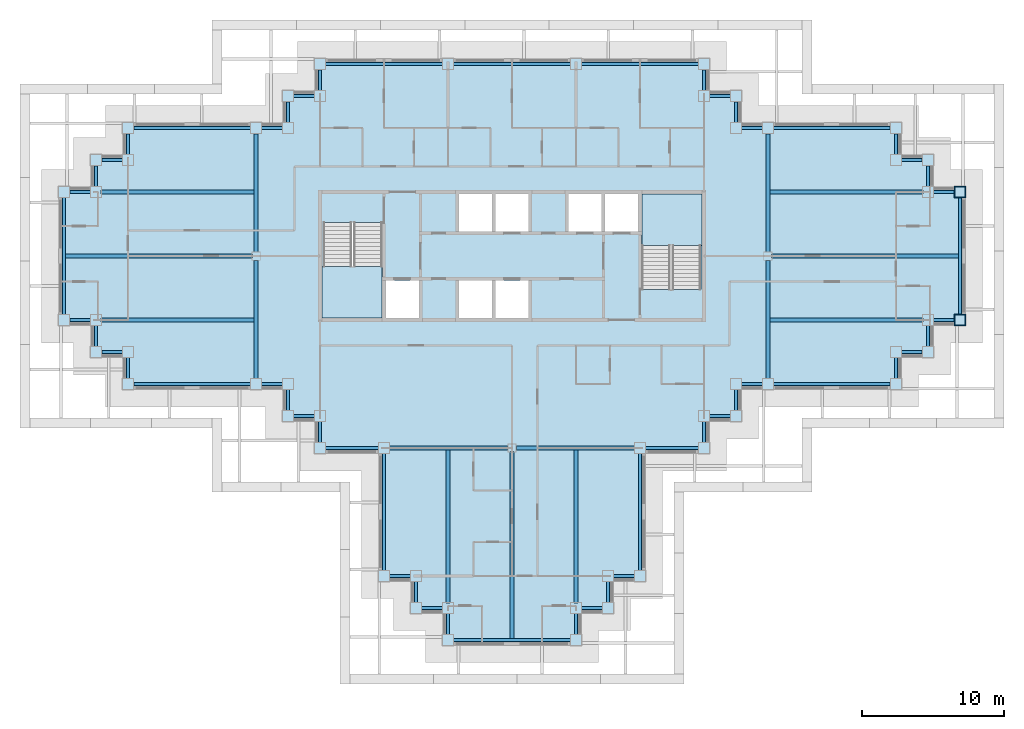
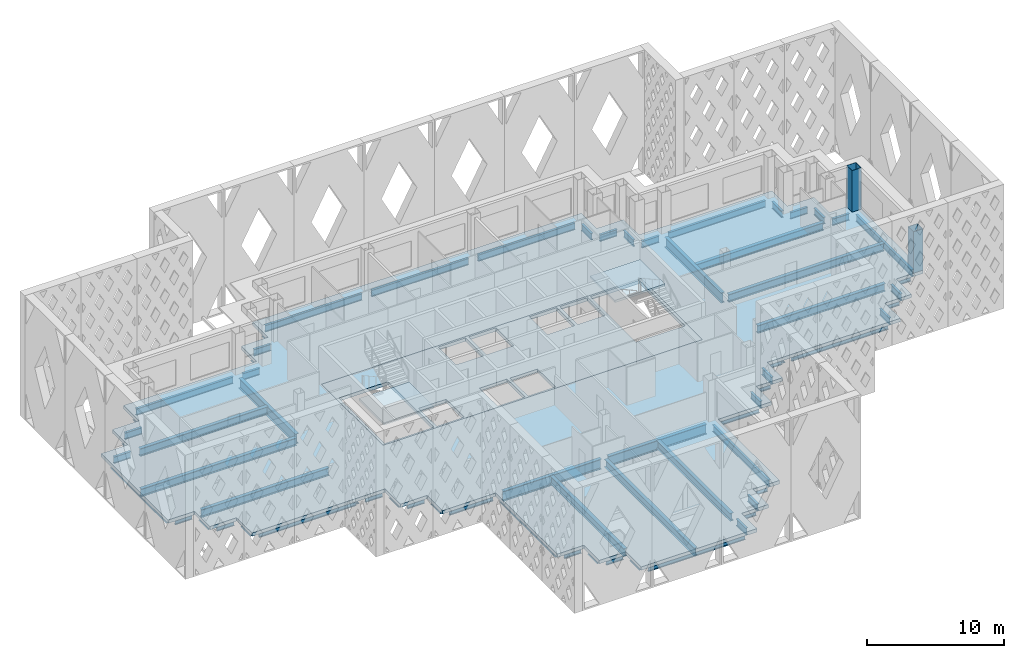
# One storey, part 2 of 18: 69 beams, 4 slabs, 2 columns, 2 elements without a shape of their own.
"""IFC4 building model written with IfcOpenShell, lengths in metres."""

from ifc_helpers import new_model, si_unit, direction, frame, origin, origin_2d, place, context, subcontext, project, spatial, polyline, hollow_rectangle, i_section, outline, extrude, material, layer, layer_set, material_profile, profile_set, type_object, element, aggregate, save


model = new_model("IFC4")

# Units and contexts
model_context = context("Model", 3, precision=1e-05, world=origin(), true_north=direction((0.0, 1.0)))
body_context = subcontext(model_context, "Body", "Model", "MODEL_VIEW")
ifc_project = project(units=[si_unit("LENGTHUNIT", "METRE"), si_unit("AREAUNIT", "SQUARE_METRE"), si_unit("VOLUMEUNIT", "CUBIC_METRE"), si_unit("PLANEANGLEUNIT", "RADIAN"), si_unit("MASSUNIT", "GRAM", prefix="KILO")], contexts=[model_context])

# Site, building, storey
site_placement = place(None, origin())
site = spatial("IfcSite", under=ifc_project, at=site_placement, CompositionType="ELEMENT")
building_placement = place(site_placement, origin())
building = spatial("IfcBuilding", under=site, at=building_placement, Name="Caravel Reach Hotel and Residences", CompositionType="ELEMENT")
storey_placement = place(building_placement, frame((0.0, 0.0, 165.39990234375)))
storey = spatial("IfcBuildingStorey", under=building, at=storey_placement, Name="L41", CompositionType="ELEMENT", Elevation=165.39990234375)

# Columns
ifc_material_1 = material(Name="Concrete-filled steel tube Q390B with Concrete C60 infill", Category="concrete")
ifc_material_profile_1 = material_profile(ifc_material_1, hollow_rectangle(XDim=0.800048828125, YDim=0.800048828125, WallThickness=0.02490234375, at=origin_2d()), Name="RHS 800x800x25")
ifc_profile_set_1 = profile_set([ifc_material_profile_1], Name="Concrete-filled steel tube Q390B with Concrete C60 infill")
column_type = type_object("IfcColumnType", Name="CFT 800x800 Q390B C60", PredefinedType="COLUMN", material=ifc_profile_set_1)
for number, where, z_axis, x_axis, name in (
    (1, (63.0, 22.5, 0.0), (0.0, 0.0, 1.0), (1.0, 0.0, 0.0), "C5 column"),
    (2, (63.0, 31.5, 0.0), (0.0, 0.0, 1.0), (1.0, 0.0, 0.0), "C5 column"),
):
    element("IfcColumn", number, at=place(storey_placement, frame(where, z_axis=z_axis, x_axis=x_axis)), inside=storey, type_object=column_type, Name=name, PredefinedType="COLUMN", context=body_context, shape_type="SweptSolid", body=[
        extrude(hollow_rectangle(XDim=0.800048828125, YDim=0.800048828125, WallThickness=0.02490234375, at=origin_2d()), origin(), (0.0, 0.0, 1.0), 3.7001953125),
    ])

# Beams
ifc_material_2 = material(Name="Structural steel Q355B", Category="steel")
ifc_material_profile_2 = material_profile(ifc_material_2, i_section(OverallWidth=0.300048828125, OverallDepth=0.699951171875, WebThickness=0.012939453125, FlangeThickness=0.02392578125, FilletRadius=0.01806640625, at=origin_2d()), Name="HN 700x300x13x24")
ifc_profile_set_2 = profile_set([ifc_material_profile_2], Name="Structural steel Q355B")
beam_type_1 = type_object("IfcBeamType", Name="Beam HN 700x300x13x24", PredefinedType="BEAM", material=ifc_profile_set_2)
beam_1_placement = place(storey_placement, frame((27.0, 13.39990234375, -0.64990234375), z_axis=(0.0, -1.0, 0.0), x_axis=(1.0, 0.0, 0.0)))
element("IfcBeam", 3, at=beam_1_placement, inside=storey, type_object=beam_type_1, Name="B2 HN 700x300x13x24", PredefinedType="BEAM", context=body_context, shape_type="SweptSolid", body=[
    extrude(i_section(OverallWidth=0.300048828125, OverallDepth=0.699951171875, WebThickness=0.012939453125, FlangeThickness=0.02392578125, FilletRadius=0.01806640625, at=origin_2d()), origin(), (0.0, 0.0, 1.0), 10.7998046875),
])
beam_2_placement = place(storey_placement, frame((31.5, 13.25, -0.64990234375), z_axis=(0.0, -1.0, 0.0), x_axis=(1.0, 0.0, 0.0)))
element("IfcBeam", 4, at=beam_2_placement, inside=storey, type_object=beam_type_1, Name="B2 HN 700x300x13x24", PredefinedType="BEAM", context=body_context, shape_type="SweptSolid", body=[
    extrude(i_section(OverallWidth=0.300048828125, OverallDepth=0.699951171875, WebThickness=0.012939453125, FlangeThickness=0.02392578125, FilletRadius=0.01806640625, at=origin_2d()), origin(), (0.0, 0.0, 1.0), 13.14990234375),
])
for number, where, z_axis, x_axis, name in (
    (5, (36.0, 13.39990234375, -0.64990234375), (0.0, -1.0, 0.0), (1.0, 0.0, 0.0), "B2 HN 700x300x13x24"),
    (6, (49.60009765625, 22.5, -0.64990234375), (1.0, 0.0, 0.0), (0.0, 1.0, 0.0), "B2 HN 700x300x13x24"),
):
    element("IfcBeam", number, at=place(storey_placement, frame(where, z_axis=z_axis, x_axis=x_axis)), inside=storey, type_object=beam_type_1, Name=name, PredefinedType="BEAM", context=body_context, shape_type="SweptSolid", body=[
        extrude(i_section(OverallWidth=0.300048828125, OverallDepth=0.699951171875, WebThickness=0.012939453125, FlangeThickness=0.02392578125, FilletRadius=0.01806640625, at=origin_2d()), origin(), (0.0, 0.0, 1.0), 10.7998046875),
    ])
beam_3_placement = place(storey_placement, frame((49.75, 27.0, -0.64990234375), z_axis=(1.0, 0.0, 0.0), x_axis=(0.0, 1.0, 0.0)))
element("IfcBeam", 7, at=beam_3_placement, inside=storey, type_object=beam_type_1, Name="B2 HN 700x300x13x24", PredefinedType="BEAM", context=body_context, shape_type="SweptSolid", body=[
    extrude(i_section(OverallWidth=0.300048828125, OverallDepth=0.699951171875, WebThickness=0.012939453125, FlangeThickness=0.02392578125, FilletRadius=0.01806640625, at=origin_2d()), origin(), (0.0, 0.0, 1.0), 13.14990234375),
])
for number, where, z_axis, x_axis, name in (
    (8, (49.60009765625, 31.5, -0.64990234375), (1.0, 0.0, 0.0), (0.0, 1.0, 0.0), "B2 HN 700x300x13x24"),
    (9, (13.39990234375, 22.5, -0.64990234375), (-1.0, 0.0, 0.0), (0.0, -1.0, 0.0), "B2 HN 700x300x13x24"),
):
    element("IfcBeam", number, at=place(storey_placement, frame(where, z_axis=z_axis, x_axis=x_axis)), inside=storey, type_object=beam_type_1, Name=name, PredefinedType="BEAM", context=body_context, shape_type="SweptSolid", body=[
        extrude(i_section(OverallWidth=0.300048828125, OverallDepth=0.699951171875, WebThickness=0.012939453125, FlangeThickness=0.02392578125, FilletRadius=0.01806640625, at=origin_2d()), origin(), (0.0, 0.0, 1.0), 10.7998046875),
    ])
beam_4_placement = place(storey_placement, frame((13.25, 27.0, -0.64990234375), z_axis=(-1.0, 0.0, 0.0), x_axis=(0.0, -1.0, 0.0)))
element("IfcBeam", 10, at=beam_4_placement, inside=storey, type_object=beam_type_1, Name="B2 HN 700x300x13x24", PredefinedType="BEAM", context=body_context, shape_type="SweptSolid", body=[
    extrude(i_section(OverallWidth=0.300048828125, OverallDepth=0.699951171875, WebThickness=0.012939453125, FlangeThickness=0.02392578125, FilletRadius=0.01806640625, at=origin_2d()), origin(), (0.0, 0.0, 1.0), 13.14990234375),
])
beam_5_placement = place(storey_placement, frame((13.39990234375, 31.5, -0.64990234375), z_axis=(-1.0, 0.0, 0.0), x_axis=(0.0, -1.0, 0.0)))
element("IfcBeam", 11, at=beam_5_placement, inside=storey, type_object=beam_type_1, Name="B2 HN 700x300x13x24", PredefinedType="BEAM", context=body_context, shape_type="SweptSolid", body=[
    extrude(i_section(OverallWidth=0.300048828125, OverallDepth=0.699951171875, WebThickness=0.012939453125, FlangeThickness=0.02392578125, FilletRadius=0.01806640625, at=origin_2d()), origin(), (0.0, 0.0, 1.0), 10.7998046875),
])
ifc_material_3 = material(Name="Structural steel Q355B", Category="steel")
ifc_material_profile_3 = material_profile(ifc_material_3, i_section(OverallWidth=0.300048828125, OverallDepth=0.89990234375, WebThickness=0.01611328125, FlangeThickness=0.028076171875, FilletRadius=0.01806640625, at=origin_2d()), Name="HN 900x300x16x28")
ifc_profile_set_3 = profile_set([ifc_material_profile_3], Name="Structural steel Q355B")
beam_type_2 = type_object("IfcBeamType", Name="Beam HN 900x300x16x28", PredefinedType="BEAM", material=ifc_profile_set_3)
for number, where, z_axis, x_axis, name in (
    (12, (22.89990234375, 13.5, -0.75), (1.0, 0.0, 0.0), (0.0, 1.0, 0.0), "B3 HN 900x300x16x28"),
    (13, (31.800048828125, 13.5, -0.75), (1.0, 0.0, 0.0), (0.0, 1.0, 0.0), "B3 HN 900x300x16x28"),
    (14, (13.5, 18.39990234375, -0.75), (0.0, 1.0, 0.0), (-1.0, 0.0, 0.0), "B3 HN 900x300x16x28"),
    (15, (13.5, 27.300048828125, -0.75), (0.0, 1.0, 0.0), (-1.0, 0.0, 0.0), "B3 HN 900x300x16x28"),
    (16, (49.5, 18.39990234375, -0.75), (0.0, 1.0, 0.0), (-1.0, 0.0, 0.0), "B3 HN 900x300x16x28"),
    (17, (49.5, 27.300048828125, -0.75), (0.0, 1.0, 0.0), (-1.0, 0.0, 0.0), "B3 HN 900x300x16x28"),
):
    element("IfcBeam", number, at=place(storey_placement, frame(where, z_axis=z_axis, x_axis=x_axis)), inside=storey, type_object=beam_type_2, Name=name, PredefinedType="BEAM", context=body_context, shape_type="SweptSolid", body=[
        extrude(i_section(OverallWidth=0.300048828125, OverallDepth=0.89990234375, WebThickness=0.01611328125, FlangeThickness=0.028076171875, FilletRadius=0.01806640625, at=origin_2d()), origin(), (0.0, 0.0, 1.0), 8.300048828125),
    ])
ifc_material_4 = material(Name="Structural steel Q355B", Category="steel")
ifc_material_profile_4 = material_profile(ifc_material_4, i_section(OverallWidth=0.199951171875, OverallDepth=0.60009765625, WebThickness=0.010986328125, FlangeThickness=0.01708984375, FilletRadius=0.012939453125, at=origin_2d()), Name="HN 600x200x11x17")
ifc_profile_set_4 = profile_set([ifc_material_profile_4], Name="Structural steel Q355B")
beam_type_3 = type_object("IfcBeamType", Name="Spandrel beam HN 600x200x11x17", PredefinedType="SPANDREL", material=ifc_profile_set_4)
for number, where, z_axis, x_axis, name in (
    (18, (22.89990234375, 4.5, -0.599853515625), (1.0, 0.0, 0.0), (0.0, 1.0, 0.0), "SP1 HN 600x200x11x17"),
    (19, (24.75, 4.10009765625, -0.599853515625), (0.0, -1.0, 0.0), (1.0, 0.0, 0.0), "SP1 HN 600x200x11x17"),
    (20, (25.14990234375, 2.25, -0.599853515625), (1.0, 0.0, 0.0), (0.0, 1.0, 0.0), "SP1 HN 600x200x11x17"),
    (21, (27.0, 1.85009765625, -0.599853515625), (0.0, -1.0, 0.0), (1.0, 0.0, 0.0), "SP1 HN 600x200x11x17"),
):
    element("IfcBeam", number, at=place(storey_placement, frame(where, z_axis=z_axis, x_axis=x_axis)), inside=storey, type_object=beam_type_3, Name=name, PredefinedType="SPANDREL", context=body_context, shape_type="SweptSolid", body=[
        extrude(i_section(OverallWidth=0.199951171875, OverallDepth=0.60009765625, WebThickness=0.010986328125, FlangeThickness=0.01708984375, FilletRadius=0.012939453125, at=origin_2d()), origin(), (0.0, 0.0, 1.0), 1.4501953125),
    ])
beam_6_placement = place(storey_placement, frame((27.39990234375, 0.0, -0.599853515625), z_axis=(1.0, 0.0, 0.0), x_axis=(0.0, 1.0, 0.0)))
element("IfcBeam", 22, at=beam_6_placement, inside=storey, type_object=beam_type_3, Name="SP1 HN 600x200x11x17", PredefinedType="SPANDREL", context=body_context, shape_type="SweptSolid", body=[
    extrude(i_section(OverallWidth=0.199951171875, OverallDepth=0.60009765625, WebThickness=0.010986328125, FlangeThickness=0.01708984375, FilletRadius=0.012939453125, at=origin_2d()), origin(), (0.0, 0.0, 1.0), 8.2001953125),
])
for number, where, z_axis, x_axis, name in (
    (23, (36.0, 0.39990234375, -0.599853515625), (0.0, 1.0, 0.0), (-1.0, 0.0, 0.0), "SP1 HN 600x200x11x17"),
    (24, (36.39990234375, 2.25, -0.599853515625), (1.0, 0.0, 0.0), (0.0, 1.0, 0.0), "SP1 HN 600x200x11x17"),
    (25, (38.25, 2.64990234375, -0.599853515625), (0.0, 1.0, 0.0), (-1.0, 0.0, 0.0), "SP1 HN 600x200x11x17"),
    (26, (38.64990234375, 4.5, -0.599853515625), (1.0, 0.0, 0.0), (0.0, 1.0, 0.0), "SP1 HN 600x200x11x17"),
):
    element("IfcBeam", number, at=place(storey_placement, frame(where, z_axis=z_axis, x_axis=x_axis)), inside=storey, type_object=beam_type_3, Name=name, PredefinedType="SPANDREL", context=body_context, shape_type="SweptSolid", body=[
        extrude(i_section(OverallWidth=0.199951171875, OverallDepth=0.60009765625, WebThickness=0.010986328125, FlangeThickness=0.01708984375, FilletRadius=0.012939453125, at=origin_2d()), origin(), (0.0, 0.0, 1.0), 1.4501953125),
    ])
beam_7_placement = place(storey_placement, frame((40.5, 4.89990234375, -0.599853515625), z_axis=(0.0, 1.0, 0.0), x_axis=(-1.0, 0.0, 0.0)))
element("IfcBeam", 27, at=beam_7_placement, inside=storey, type_object=beam_type_3, Name="SP1 HN 600x200x11x17", PredefinedType="SPANDREL", context=body_context, shape_type="SweptSolid", body=[
    extrude(i_section(OverallWidth=0.199951171875, OverallDepth=0.60009765625, WebThickness=0.010986328125, FlangeThickness=0.01708984375, FilletRadius=0.012939453125, at=origin_2d()), origin(), (0.0, 0.0, 1.0), 8.2001953125),
])
beam_8_placement = place(storey_placement, frame((40.89990234375, 13.5, -0.599853515625), z_axis=(1.0, 0.0, 0.0), x_axis=(0.0, 1.0, 0.0)))
element("IfcBeam", 28, at=beam_8_placement, inside=storey, type_object=beam_type_3, Name="SP1 HN 600x200x11x17", PredefinedType="SPANDREL", context=body_context, shape_type="SweptSolid", body=[
    extrude(i_section(OverallWidth=0.199951171875, OverallDepth=0.60009765625, WebThickness=0.010986328125, FlangeThickness=0.01708984375, FilletRadius=0.012939453125, at=origin_2d()), origin(), (0.0, 0.0, 1.0), 3.7001953125),
])
for number, where, z_axis, x_axis, name in (
    (29, (45.0, 13.89990234375, -0.599853515625), (0.0, 1.0, 0.0), (-1.0, 0.0, 0.0), "SP1 HN 600x200x11x17"),
    (30, (45.39990234375, 15.75, -0.599853515625), (1.0, 0.0, 0.0), (0.0, 1.0, 0.0), "SP1 HN 600x200x11x17"),
    (31, (47.25, 16.14990234375, -0.599853515625), (0.0, 1.0, 0.0), (-1.0, 0.0, 0.0), "SP1 HN 600x200x11x17"),
    (32, (47.64990234375, 18.0, -0.599853515625), (1.0, 0.0, 0.0), (0.0, 1.0, 0.0), "SP1 HN 600x200x11x17"),
):
    element("IfcBeam", number, at=place(storey_placement, frame(where, z_axis=z_axis, x_axis=x_axis)), inside=storey, type_object=beam_type_3, Name=name, PredefinedType="SPANDREL", context=body_context, shape_type="SweptSolid", body=[
        extrude(i_section(OverallWidth=0.199951171875, OverallDepth=0.60009765625, WebThickness=0.010986328125, FlangeThickness=0.01708984375, FilletRadius=0.012939453125, at=origin_2d()), origin(), (0.0, 0.0, 1.0), 1.4501953125),
    ])
beam_9_placement = place(storey_placement, frame((49.89990234375, 18.0, -0.599853515625), z_axis=(1.0, 0.0, 0.0), x_axis=(0.0, 1.0, 0.0)))
element("IfcBeam", 33, at=beam_9_placement, inside=storey, type_object=beam_type_3, Name="SP1 HN 600x200x11x17", PredefinedType="SPANDREL", context=body_context, shape_type="SweptSolid", body=[
    extrude(i_section(OverallWidth=0.199951171875, OverallDepth=0.60009765625, WebThickness=0.010986328125, FlangeThickness=0.01708984375, FilletRadius=0.012939453125, at=origin_2d()), origin(), (0.0, 0.0, 1.0), 8.2001953125),
])
for number, where, z_axis, x_axis, name in (
    (34, (58.5, 18.39990234375, -0.599853515625), (0.0, 1.0, 0.0), (-1.0, 0.0, 0.0), "SP1 HN 600x200x11x17"),
    (35, (58.89990234375, 20.25, -0.599853515625), (1.0, 0.0, 0.0), (0.0, 1.0, 0.0), "SP1 HN 600x200x11x17"),
    (36, (60.75, 20.64990234375, -0.599853515625), (0.0, 1.0, 0.0), (-1.0, 0.0, 0.0), "SP1 HN 600x200x11x17"),
    (37, (61.14990234375, 22.5, -0.599853515625), (1.0, 0.0, 0.0), (0.0, 1.0, 0.0), "SP1 HN 600x200x11x17"),
):
    element("IfcBeam", number, at=place(storey_placement, frame(where, z_axis=z_axis, x_axis=x_axis)), inside=storey, type_object=beam_type_3, Name=name, PredefinedType="SPANDREL", context=body_context, shape_type="SweptSolid", body=[
        extrude(i_section(OverallWidth=0.199951171875, OverallDepth=0.60009765625, WebThickness=0.010986328125, FlangeThickness=0.01708984375, FilletRadius=0.012939453125, at=origin_2d()), origin(), (0.0, 0.0, 1.0), 1.4501953125),
    ])
beam_10_placement = place(storey_placement, frame((63.0, 22.89990234375, -0.599853515625), z_axis=(0.0, 1.0, 0.0), x_axis=(-1.0, 0.0, 0.0)))
element("IfcBeam", 38, at=beam_10_placement, inside=storey, type_object=beam_type_3, Name="SP1 HN 600x200x11x17", PredefinedType="SPANDREL", context=body_context, shape_type="SweptSolid", body=[
    extrude(i_section(OverallWidth=0.199951171875, OverallDepth=0.60009765625, WebThickness=0.010986328125, FlangeThickness=0.01708984375, FilletRadius=0.012939453125, at=origin_2d()), origin(), (0.0, 0.0, 1.0), 8.2001953125),
])
for number, where, z_axis, x_axis, name in (
    (39, (62.60009765625, 31.5, -0.599853515625), (-1.0, 0.0, 0.0), (0.0, -1.0, 0.0), "SP1 HN 600x200x11x17"),
    (40, (60.75, 31.89990234375, -0.599853515625), (0.0, 1.0, 0.0), (-1.0, 0.0, 0.0), "SP1 HN 600x200x11x17"),
    (41, (60.35009765625, 33.75, -0.599853515625), (-1.0, 0.0, 0.0), (0.0, -1.0, 0.0), "SP1 HN 600x200x11x17"),
    (42, (58.5, 34.14990234375, -0.599853515625), (0.0, 1.0, 0.0), (-1.0, 0.0, 0.0), "SP1 HN 600x200x11x17"),
):
    element("IfcBeam", number, at=place(storey_placement, frame(where, z_axis=z_axis, x_axis=x_axis)), inside=storey, type_object=beam_type_3, Name=name, PredefinedType="SPANDREL", context=body_context, shape_type="SweptSolid", body=[
        extrude(i_section(OverallWidth=0.199951171875, OverallDepth=0.60009765625, WebThickness=0.010986328125, FlangeThickness=0.01708984375, FilletRadius=0.012939453125, at=origin_2d()), origin(), (0.0, 0.0, 1.0), 1.4501953125),
    ])
beam_11_placement = place(storey_placement, frame((58.10009765625, 36.0, -0.599853515625), z_axis=(-1.0, 0.0, 0.0), x_axis=(0.0, -1.0, 0.0)))
element("IfcBeam", 43, at=beam_11_placement, inside=storey, type_object=beam_type_3, Name="SP1 HN 600x200x11x17", PredefinedType="SPANDREL", context=body_context, shape_type="SweptSolid", body=[
    extrude(i_section(OverallWidth=0.199951171875, OverallDepth=0.60009765625, WebThickness=0.010986328125, FlangeThickness=0.01708984375, FilletRadius=0.012939453125, at=origin_2d()), origin(), (0.0, 0.0, 1.0), 8.2001953125),
])
for number, where, z_axis, x_axis, name in (
    (44, (49.10009765625, 36.0, -0.599853515625), (-1.0, 0.0, 0.0), (0.0, -1.0, 0.0), "SP1 HN 600x200x11x17"),
    (45, (47.25, 36.39990234375, -0.599853515625), (0.0, 1.0, 0.0), (-1.0, 0.0, 0.0), "SP1 HN 600x200x11x17"),
    (46, (46.85009765625, 38.25, -0.599853515625), (-1.0, 0.0, 0.0), (0.0, -1.0, 0.0), "SP1 HN 600x200x11x17"),
    (47, (45.0, 38.64990234375, -0.599853515625), (0.0, 1.0, 0.0), (-1.0, 0.0, 0.0), "SP1 HN 600x200x11x17"),
):
    element("IfcBeam", number, at=place(storey_placement, frame(where, z_axis=z_axis, x_axis=x_axis)), inside=storey, type_object=beam_type_3, Name=name, PredefinedType="SPANDREL", context=body_context, shape_type="SweptSolid", body=[
        extrude(i_section(OverallWidth=0.199951171875, OverallDepth=0.60009765625, WebThickness=0.010986328125, FlangeThickness=0.01708984375, FilletRadius=0.012939453125, at=origin_2d()), origin(), (0.0, 0.0, 1.0), 1.4501953125),
    ])
for number, where, z_axis, x_axis, name in (
    (48, (44.60009765625, 40.5, -0.599853515625), (-1.0, 0.0, 0.0), (0.0, -1.0, 0.0), "SP1 HN 600x200x11x17"),
    (49, (35.60009765625, 40.5, -0.599853515625), (-1.0, 0.0, 0.0), (0.0, -1.0, 0.0), "SP1 HN 600x200x11x17"),
    (50, (26.60009765625, 40.5, -0.599853515625), (-1.0, 0.0, 0.0), (0.0, -1.0, 0.0), "SP1 HN 600x200x11x17"),
):
    element("IfcBeam", number, at=place(storey_placement, frame(where, z_axis=z_axis, x_axis=x_axis)), inside=storey, type_object=beam_type_3, Name=name, PredefinedType="SPANDREL", context=body_context, shape_type="SweptSolid", body=[
        extrude(i_section(OverallWidth=0.199951171875, OverallDepth=0.60009765625, WebThickness=0.010986328125, FlangeThickness=0.01708984375, FilletRadius=0.012939453125, at=origin_2d()), origin(), (0.0, 0.0, 1.0), 8.2001953125),
    ])
for number, where, z_axis, x_axis, name in (
    (51, (18.0, 40.10009765625, -0.599853515625), (0.0, -1.0, 0.0), (1.0, 0.0, 0.0), "SP1 HN 600x200x11x17"),
    (52, (17.60009765625, 38.25, -0.599853515625), (-1.0, 0.0, 0.0), (0.0, -1.0, 0.0), "SP1 HN 600x200x11x17"),
    (53, (15.75, 37.85009765625, -0.599853515625), (0.0, -1.0, 0.0), (1.0, 0.0, 0.0), "SP1 HN 600x200x11x17"),
    (54, (15.35009765625, 36.0, -0.599853515625), (-1.0, 0.0, 0.0), (0.0, -1.0, 0.0), "SP1 HN 600x200x11x17"),
):
    element("IfcBeam", number, at=place(storey_placement, frame(where, z_axis=z_axis, x_axis=x_axis)), inside=storey, type_object=beam_type_3, Name=name, PredefinedType="SPANDREL", context=body_context, shape_type="SweptSolid", body=[
        extrude(i_section(OverallWidth=0.199951171875, OverallDepth=0.60009765625, WebThickness=0.010986328125, FlangeThickness=0.01708984375, FilletRadius=0.012939453125, at=origin_2d()), origin(), (0.0, 0.0, 1.0), 1.4501953125),
    ])
beam_12_placement = place(storey_placement, frame((13.10009765625, 36.0, -0.599853515625), z_axis=(-1.0, 0.0, 0.0), x_axis=(0.0, -1.0, 0.0)))
element("IfcBeam", 55, at=beam_12_placement, inside=storey, type_object=beam_type_3, Name="SP1 HN 600x200x11x17", PredefinedType="SPANDREL", context=body_context, shape_type="SweptSolid", body=[
    extrude(i_section(OverallWidth=0.199951171875, OverallDepth=0.60009765625, WebThickness=0.010986328125, FlangeThickness=0.01708984375, FilletRadius=0.012939453125, at=origin_2d()), origin(), (0.0, 0.0, 1.0), 8.2001953125),
])
for number, where, z_axis, x_axis, name in (
    (56, (4.5, 35.60009765625, -0.599853515625), (0.0, -1.0, 0.0), (1.0, 0.0, 0.0), "SP1 HN 600x200x11x17"),
    (57, (4.10009765625, 33.75, -0.599853515625), (-1.0, 0.0, 0.0), (0.0, -1.0, 0.0), "SP1 HN 600x200x11x17"),
    (58, (2.25, 33.35009765625, -0.599853515625), (0.0, -1.0, 0.0), (1.0, 0.0, 0.0), "SP1 HN 600x200x11x17"),
    (59, (1.85009765625, 31.5, -0.599853515625), (-1.0, 0.0, 0.0), (0.0, -1.0, 0.0), "SP1 HN 600x200x11x17"),
):
    element("IfcBeam", number, at=place(storey_placement, frame(where, z_axis=z_axis, x_axis=x_axis)), inside=storey, type_object=beam_type_3, Name=name, PredefinedType="SPANDREL", context=body_context, shape_type="SweptSolid", body=[
        extrude(i_section(OverallWidth=0.199951171875, OverallDepth=0.60009765625, WebThickness=0.010986328125, FlangeThickness=0.01708984375, FilletRadius=0.012939453125, at=origin_2d()), origin(), (0.0, 0.0, 1.0), 1.4501953125),
    ])
beam_13_placement = place(storey_placement, frame((0.0, 31.10009765625, -0.599853515625), z_axis=(0.0, -1.0, 0.0), x_axis=(1.0, 0.0, 0.0)))
element("IfcBeam", 60, at=beam_13_placement, inside=storey, type_object=beam_type_3, Name="SP1 HN 600x200x11x17", PredefinedType="SPANDREL", context=body_context, shape_type="SweptSolid", body=[
    extrude(i_section(OverallWidth=0.199951171875, OverallDepth=0.60009765625, WebThickness=0.010986328125, FlangeThickness=0.01708984375, FilletRadius=0.012939453125, at=origin_2d()), origin(), (0.0, 0.0, 1.0), 8.2001953125),
])
for number, where, z_axis, x_axis, name in (
    (61, (0.39990234375, 22.5, -0.599853515625), (1.0, 0.0, 0.0), (0.0, 1.0, 0.0), "SP1 HN 600x200x11x17"),
    (62, (2.25, 22.10009765625, -0.599853515625), (0.0, -1.0, 0.0), (1.0, 0.0, 0.0), "SP1 HN 600x200x11x17"),
    (63, (2.64990234375, 20.25, -0.599853515625), (1.0, 0.0, 0.0), (0.0, 1.0, 0.0), "SP1 HN 600x200x11x17"),
    (64, (4.5, 19.85009765625, -0.599853515625), (0.0, -1.0, 0.0), (1.0, 0.0, 0.0), "SP1 HN 600x200x11x17"),
):
    element("IfcBeam", number, at=place(storey_placement, frame(where, z_axis=z_axis, x_axis=x_axis)), inside=storey, type_object=beam_type_3, Name=name, PredefinedType="SPANDREL", context=body_context, shape_type="SweptSolid", body=[
        extrude(i_section(OverallWidth=0.199951171875, OverallDepth=0.60009765625, WebThickness=0.010986328125, FlangeThickness=0.01708984375, FilletRadius=0.012939453125, at=origin_2d()), origin(), (0.0, 0.0, 1.0), 1.4501953125),
    ])
beam_14_placement = place(storey_placement, frame((4.89990234375, 18.0, -0.599853515625), z_axis=(1.0, 0.0, 0.0), x_axis=(0.0, 1.0, 0.0)))
element("IfcBeam", 65, at=beam_14_placement, inside=storey, type_object=beam_type_3, Name="SP1 HN 600x200x11x17", PredefinedType="SPANDREL", context=body_context, shape_type="SweptSolid", body=[
    extrude(i_section(OverallWidth=0.199951171875, OverallDepth=0.60009765625, WebThickness=0.010986328125, FlangeThickness=0.01708984375, FilletRadius=0.012939453125, at=origin_2d()), origin(), (0.0, 0.0, 1.0), 8.2001953125),
])
for number, where, z_axis, x_axis, name in (
    (66, (13.89990234375, 18.0, -0.599853515625), (1.0, 0.0, 0.0), (0.0, 1.0, 0.0), "SP1 HN 600x200x11x17"),
    (67, (15.75, 17.60009765625, -0.599853515625), (0.0, -1.0, 0.0), (1.0, 0.0, 0.0), "SP1 HN 600x200x11x17"),
    (68, (16.14990234375, 15.75, -0.599853515625), (1.0, 0.0, 0.0), (0.0, 1.0, 0.0), "SP1 HN 600x200x11x17"),
    (69, (18.0, 15.35009765625, -0.599853515625), (0.0, -1.0, 0.0), (1.0, 0.0, 0.0), "SP1 HN 600x200x11x17"),
):
    element("IfcBeam", number, at=place(storey_placement, frame(where, z_axis=z_axis, x_axis=x_axis)), inside=storey, type_object=beam_type_3, Name=name, PredefinedType="SPANDREL", context=body_context, shape_type="SweptSolid", body=[
        extrude(i_section(OverallWidth=0.199951171875, OverallDepth=0.60009765625, WebThickness=0.010986328125, FlangeThickness=0.01708984375, FilletRadius=0.012939453125, at=origin_2d()), origin(), (0.0, 0.0, 1.0), 1.4501953125),
    ])
beam_15_placement = place(storey_placement, frame((18.39990234375, 13.5, -0.599853515625), z_axis=(1.0, 0.0, 0.0), x_axis=(0.0, 1.0, 0.0)))
element("IfcBeam", 70, at=beam_15_placement, inside=storey, type_object=beam_type_3, Name="SP1 HN 600x200x11x17", PredefinedType="SPANDREL", context=body_context, shape_type="SweptSolid", body=[
    extrude(i_section(OverallWidth=0.199951171875, OverallDepth=0.60009765625, WebThickness=0.010986328125, FlangeThickness=0.01708984375, FilletRadius=0.012939453125, at=origin_2d()), origin(), (0.0, 0.0, 1.0), 3.7001953125),
])
beam_16_placement = place(storey_placement, frame((22.5, 13.10009765625, -0.599853515625), z_axis=(0.0, -1.0, 0.0), x_axis=(1.0, 0.0, 0.0)))
element("IfcBeam", 71, at=beam_16_placement, inside=storey, type_object=beam_type_3, Name="SP1 HN 600x200x11x17", PredefinedType="SPANDREL", context=body_context, shape_type="SweptSolid", body=[
    extrude(i_section(OverallWidth=0.199951171875, OverallDepth=0.60009765625, WebThickness=0.010986328125, FlangeThickness=0.01708984375, FilletRadius=0.012939453125, at=origin_2d()), origin(), (0.0, 0.0, 1.0), 8.2001953125),
])

# Slab
ifc_material_5 = material(Name="Concrete C40", Category="concrete")
ifc_layer_1 = layer(ifc_material_5, 0.300048828125)
ifc_layer_set_1 = layer_set([ifc_layer_1], Name="Core floor slab 300 mm")
slab_type_1 = type_object("IfcSlabType", Name="Core floor slab 300 mm", PredefinedType="FLOOR", material=ifc_layer_set_1)
slab_1_placement = place(storey_placement, frame((0.0, 0.0, -0.2998046875)))
element("IfcSlab", 72, at=slab_1_placement, inside=storey, type_object=slab_type_1, Name="L41 core floor", PredefinedType="FLOOR", context=body_context, shape_type="SweptSolid", body=[
    extrude(outline(polyline([(18.0, 31.5), (45.0, 31.5), (45.0, 22.5), (18.0, 22.5), (18.0, 31.5)]), holes=[polyline([(22.625, 25.27490234375), (22.625, 22.64990234375), (24.9462890625, 22.64990234375), (24.9462890625, 25.27490234375), (22.625, 25.27490234375)]), polyline([(27.767822265625, 25.27490234375), (27.767822265625, 22.64990234375), (30.08935546875, 22.64990234375), (30.08935546875, 25.27490234375), (27.767822265625, 25.27490234375)]), polyline([(30.33935546875, 25.27490234375), (30.33935546875, 22.64990234375), (32.66064453125, 22.64990234375), (32.66064453125, 25.27490234375), (30.33935546875, 25.27490234375)]), polyline([(22.375, 22.64990234375), (22.375, 29.35009765625), (18.22509765625, 29.35009765625), (18.22509765625, 22.64990234375), (22.375, 22.64990234375)]), polyline([(40.625, 31.35009765625), (40.625, 24.64990234375), (44.77490234375, 24.64990234375), (44.77490234375, 31.35009765625), (40.625, 31.35009765625)]), polyline([(27.767822265625, 31.35009765625), (27.767822265625, 28.72509765625), (30.08935546875, 28.72509765625), (30.08935546875, 31.35009765625), (27.767822265625, 31.35009765625)]), polyline([(30.33935546875, 31.35009765625), (30.33935546875, 28.72509765625), (32.66064453125, 28.72509765625), (32.66064453125, 31.35009765625), (30.33935546875, 31.35009765625)]), polyline([(37.8037109375, 31.35009765625), (35.482177734375, 31.35009765625), (35.482177734375, 28.72509765625), (37.8037109375, 28.72509765625), (37.8037109375, 31.35009765625)]), polyline([(40.375, 31.35009765625), (38.0537109375, 31.35009765625), (38.0537109375, 28.72509765625), (40.375, 28.72509765625), (40.375, 31.35009765625)])]), origin(), (0.0, 0.0, 1.0), 0.2998046875),
])

# Stair, slab
ifc_material_6 = material(Name="Concrete C40", Category="concrete")
stair_type = type_object("IfcStairType", Name="Core stair", PredefinedType="HALF_TURN_STAIR", material=ifc_material_6)
stair_1_placement = place(storey_placement, origin())
stair_1 = element("IfcStair", 73, at=stair_1_placement, inside=storey, type_object=stair_type, Name="L41 Exit stair A", PredefinedType="HALF_TURN_STAIR")
ifc_material_7 = material(Name="Concrete C40", Category="concrete")
ifc_layer_2 = layer(ifc_material_7, 0.199951171875)
ifc_layer_set_2 = layer_set([ifc_layer_2], Name="Core stair landing")
slab_type_2 = type_object("IfcSlabType", Name="Core stair landing", PredefinedType="LANDING", material=ifc_layer_set_2)
slab_2_placement = place(storey_placement, frame((0.0, 0.0, 1.650146484375)))
slab_2 = element("IfcSlab", 74, at=slab_2_placement, type_object=slab_type_2, Name="ST-A landing 1", PredefinedType="LANDING", context=body_context, shape_type="SweptSolid", body=[
    extrude(outline(polyline([(18.14990234375, 26.27001953125), (18.14990234375, 22.64990234375), (22.375, 22.64990234375), (22.375, 26.27001953125), (18.14990234375, 26.27001953125)])), origin(), (0.0, 0.0, 1.0), 0.199951171875),
])
aggregate(stair_1, [slab_2])

stair_2_placement = place(storey_placement, origin())
stair_2 = element("IfcStair", 75, at=stair_2_placement, inside=storey, type_object=stair_type, Name="L41 Exit stair B", PredefinedType="HALF_TURN_STAIR")
slab_3_placement = place(storey_placement, frame((0.0, 0.0, 1.650146484375)))
slab_3 = element("IfcSlab", 76, at=slab_3_placement, type_object=slab_type_2, Name="ST-B landing 1", PredefinedType="LANDING", context=body_context, shape_type="SweptSolid", body=[
    extrude(outline(polyline([(44.85009765625, 27.72998046875), (44.85009765625, 31.35009765625), (40.625, 31.35009765625), (40.625, 27.72998046875), (44.85009765625, 27.72998046875)])), origin(), (0.0, 0.0, 1.0), 0.199951171875),
])
aggregate(stair_2, [slab_3])

# Slab
ifc_material_8 = material(Name="Concrete C40 post-tensioned", Category="concrete")
ifc_layer_3 = layer(ifc_material_8, 0.300048828125)
ifc_layer_set_3 = layer_set([ifc_layer_3], Name="Floor slab 300")
slab_type_3 = type_object("IfcSlabType", Name="Floor slab 300", PredefinedType="FLOOR", material=ifc_layer_set_3)
slab_4_placement = place(storey_placement, frame((0.0, 0.0, -0.2998046875)))
element("IfcSlab", 77, at=slab_4_placement, inside=storey, type_object=slab_type_3, Name="S2 slab L41", PredefinedType="FLOOR", context=body_context, shape_type="SweptSolid", body=[
    extrude(outline(polyline([(17.60009765625, 13.10009765625), (17.60009765625, 15.35009765625), (15.35009765625, 15.35009765625), (15.35009765625, 17.60009765625), (4.10009765625, 17.60009765625), (4.10009765625, 19.85009765625), (1.85009765625, 19.85009765625), (1.85009765625, 22.10009765625), (-0.39990234375, 22.10009765625), (-0.39990234375, 31.89990234375), (1.85009765625, 31.89990234375), (1.85009765625, 34.14990234375), (4.10009765625, 34.14990234375), (4.10009765625, 36.39990234375), (15.35009765625, 36.39990234375), (15.35009765625, 38.64990234375), (17.60009765625, 38.64990234375), (17.60009765625, 40.89990234375), (45.39990234375, 40.89990234375), (45.39990234375, 38.64990234375), (47.64990234375, 38.64990234375), (47.64990234375, 36.39990234375), (58.89990234375, 36.39990234375), (58.89990234375, 34.14990234375), (61.14990234375, 34.14990234375), (61.14990234375, 31.89990234375), (63.39990234375, 31.89990234375), (63.39990234375, 22.10009765625), (61.14990234375, 22.10009765625), (61.14990234375, 19.85009765625), (58.89990234375, 19.85009765625), (58.89990234375, 17.60009765625), (47.64990234375, 17.60009765625), (47.64990234375, 15.35009765625), (45.39990234375, 15.35009765625), (45.39990234375, 13.10009765625), (40.89990234375, 13.10009765625), (40.89990234375, 4.10009765625), (38.64990234375, 4.10009765625), (38.64990234375, 1.85009765625), (36.39990234375, 1.85009765625), (36.39990234375, -0.39990234375), (26.60009765625, -0.39990234375), (26.60009765625, 1.85009765625), (24.35009765625, 1.85009765625), (24.35009765625, 4.10009765625), (22.10009765625, 4.10009765625), (22.10009765625, 13.10009765625), (17.60009765625, 13.10009765625)]), holes=[polyline([(45.0, 31.5), (18.0, 31.5), (18.0, 22.5), (45.0, 22.5), (45.0, 31.5)])]), origin(), (0.0, 0.0, 1.0), 0.2998046875),
])

save(model, "model.ifc")
